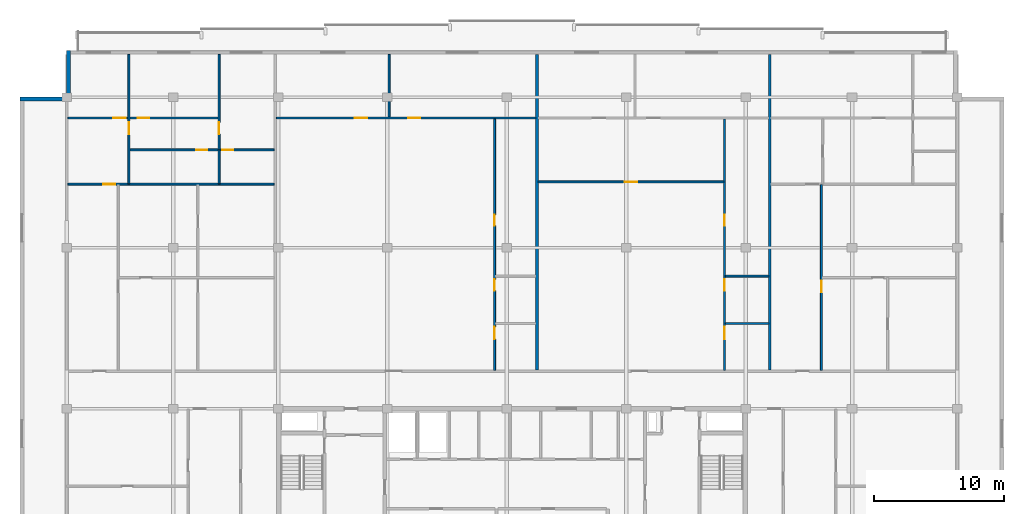
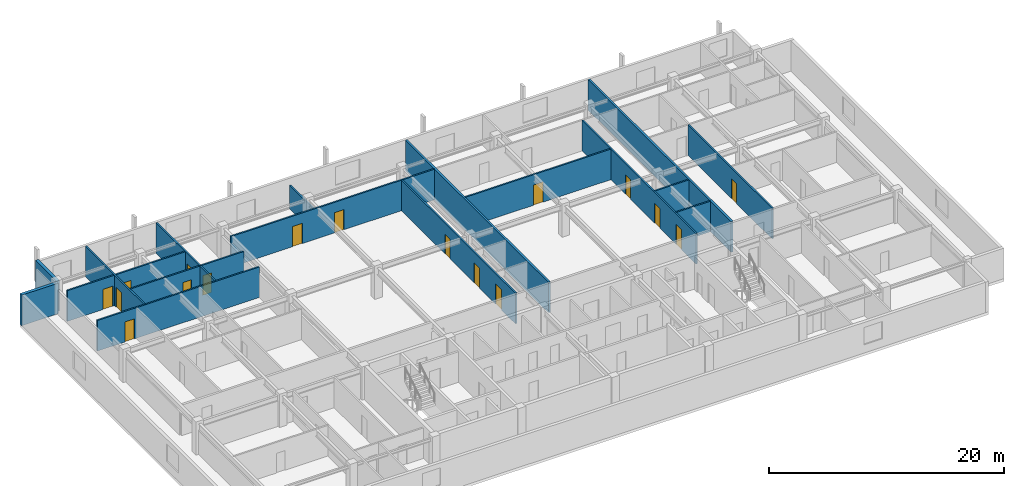
# One storey, part 6 of 10: 18 walls, 17 doors, 17 openings.
"""IFC4 building model written with IfcOpenShell, lengths in metres."""

from ifc_helpers import new_model, si_unit, direction, frame, frame_2d, origin, place, context, subcontext, project, spatial, rectangle, extrude, material, layer, layer_set, type_object, element, fill, save


model = new_model("IFC4")

# Units and contexts
model_context = context("Model", 3, precision=1e-05, world=origin(), true_north=direction((0.0, 1.0)))
body_context = subcontext(model_context, "Body", "Model", "MODEL_VIEW")
ifc_project = project(units=[si_unit("LENGTHUNIT", "METRE"), si_unit("AREAUNIT", "SQUARE_METRE"), si_unit("VOLUMEUNIT", "CUBIC_METRE"), si_unit("PLANEANGLEUNIT", "RADIAN"), si_unit("MASSUNIT", "GRAM", prefix="KILO")], contexts=[model_context])

# Site, building, storey
site_placement = place(None, origin())
site = spatial("IfcSite", under=ifc_project, at=site_placement, CompositionType="ELEMENT")
building_placement = place(site_placement, origin())
building = spatial("IfcBuilding", under=site, at=building_placement, Name="Korimba Cascade Residences", CompositionType="ELEMENT")
storey_placement = place(building_placement, frame((0.0, 0.0, 242.449951171875)))
storey = spatial("IfcBuildingStorey", under=building, at=storey_placement, Name="L70", CompositionType="ELEMENT", Elevation=242.449951171875)

# Walls
ifc_material_1 = material(Name="Precast concrete C40/50", Category="concrete")
ifc_layer_1 = layer(ifc_material_1, 0.300048828125)
ifc_layer_set_1 = layer_set([ifc_layer_1], Name="Precast concrete C40/50")
wall_type_1 = type_object("IfcWallType", Name="EW-STONE-300", PredefinedType="STANDARD", material=ifc_layer_set_1)
for number, where, z_axis, x_axis, name in (
    (1, (59.949951171875, 94.800048828125, 0.0), (0.0, 0.0, 1.0), (0.0, -1.0, 0.0), "L70 T1 Perimeter Stone Wall E07"),
    (2, (59.800048828125, 91.050048828125, 0.0), (0.0, 0.0, 1.0), (-1.0, 0.0, 0.0), "L70 T1 Perimeter Stone Wall E08"),
):
    element("IfcWall", number, at=place(storey_placement, frame(where, z_axis=z_axis, x_axis=x_axis)), inside=storey, type_object=wall_type_1, Name=name, PredefinedType="STANDARD", context=body_context, shape_type="SweptSolid", body=[
        extrude(rectangle(XDim=3.60009765625, YDim=0.300048828125, at=frame_2d((1.800048828125, 0.0))), origin(), (0.0, 0.0, 1.0), 3.170166015625),
    ])
ifc_layer_2 = layer(ifc_material_1, 0.199951171875)
ifc_layer_set_2 = layer_set([ifc_layer_2], Name="Precast concrete C40/50")
wall_type_2 = type_object("IfcWallType", Name="WAL-IT-200", PredefinedType="PARTITIONING", material=ifc_layer_set_2)
for number, where, z_axis, x_axis, name in (
    (3, (96.0244140625, 70.179931640625, 0.0), (0.0, 0.0, 1.0), (0.0, 1.0, 0.0), "L70 Partition Wall WAL-L70-T1-DEM-2"),
    (4, (113.96875, 70.179931640625, 0.0), (0.0, 0.0, 1.0), (0.0, 1.0, 0.0), "L70 Partition Wall WAL-L70-T1-DEM-3"),
):
    element("IfcWall", number, at=place(storey_placement, frame(where, z_axis=z_axis, x_axis=x_axis)), inside=storey, type_object=wall_type_2, Name=name, PredefinedType="PARTITIONING", context=body_context, shape_type="SweptSolid", body=[
        extrude(rectangle(XDim=24.320068359375, YDim=0.199951171875, at=frame_2d((12.16015625, 0.0))), origin(), (0.0, 0.0, 1.0), 3.170166015625),
    ])

# Wall, opening, door
ifc_material_2 = material(Name="Insulated Acoustic Stud Partition", Category="gypsum")
ifc_layer_3 = layer(ifc_material_2, 0.14990234375)
ifc_layer_set_3 = layer_set([ifc_layer_3], Name="Insulated Acoustic Stud Partition")
wall_type_3 = type_object("IfcWallType", Name="WAL-PART-150", PredefinedType="PARTITIONING", material=ifc_layer_set_3)
wall_1_placement = place(storey_placement, frame((64.590087890625, 84.5400390625, 0.0), z_axis=(0.0, 0.0, 1.0), x_axis=(0.0, 1.0, 0.0)))
wall_1 = element("IfcWall", 5, at=wall_1_placement, inside=storey, type_object=wall_type_3, Name="L70 Partition Wall WAL-L70-T1-U01-V1", PredefinedType="PARTITIONING", context=body_context, shape_type="SweptSolid", body=[
    extrude(rectangle(XDim=9.9599609375, YDim=0.14990234375, at=frame_2d((4.97998046875, 0.0))), origin(), (0.0, 0.0, 1.0), 3.170166015625),
])
opening_1_placement = place(wall_1_placement, frame((3.820068359375, 0.0, 0.0)))
opening_1 = element("IfcOpeningElement", 6, at=opening_1_placement, cuts=wall_1, Name="Opening D-IN1", PredefinedType="OPENING", context=body_context, shape_type="SweptSolid", body=[
    extrude(rectangle(XDim=0.919921875, YDim=2.080078125, at=frame_2d((0.4599609375, 1.0400390625))), frame((0.0, 0.0849609375, 0.0), z_axis=(0.0, -1.0, 0.0), x_axis=(1.0, 0.0, 0.0)), (0.0, 0.0, 1.0), 0.169921875),
])
ifc_material_3 = material(Name="Acoustic Timber Living Door", Category="wood")
door_type_1 = type_object("IfcDoorType", Name="DR-INT-920", OperationType="NOTDEFINED", PredefinedType="DOOR", material=ifc_material_3)
door_1_placement = place(opening_1_placement, origin())
door_1 = element("IfcDoor", 7, at=door_1_placement, inside=storey, type_object=door_type_1, Name="L70-T1-U01 Hallway Door", OperationType="SINGLE_SWING_RIGHT", OverallHeight=2.080078125, OverallWidth=0.919921875, PredefinedType="DOOR", context=body_context, shape_type="SweptSolid", body=[
    extrude(rectangle(XDim=0.919921875, YDim=2.080078125, at=frame_2d((0.4599609375, 1.0400390625))), frame((0.0, 0.02490234375, 0.0), z_axis=(0.0, -1.0, 0.0), x_axis=(1.0, 0.0, 0.0)), (0.0, 0.0, 1.0), 0.050048828125),
])
fill(opening_1, door_1)

# Wall
wall_2_placement = place(storey_placement, frame((71.53515625, 84.5400390625, 0.0), z_axis=(0.0, 0.0, 1.0), x_axis=(0.0, 1.0, 0.0)))
element("IfcWall", 8, at=wall_2_placement, inside=storey, type_object=wall_type_3, Name="L70 Partition Wall WAL-L70-T1-U01-VBATH", PredefinedType="PARTITIONING", context=body_context, shape_type="SweptSolid", body=[
    extrude(rectangle(XDim=2.580078125, YDim=0.14990234375, at=frame_2d((1.2900390625, 0.0))), origin(), (0.0, 0.0, 1.0), 3.170166015625),
])

# Wall, opening, door
wall_3_placement = place(storey_placement, frame((71.53515625, 87.159912109375, 0.0), z_axis=(0.0, 0.0, 1.0), x_axis=(0.0, 1.0, 0.0)))
wall_3 = element("IfcWall", 9, at=wall_3_placement, inside=storey, type_object=wall_type_3, Name="L70 Partition Wall WAL-L70-T1-U01-V2FULL", PredefinedType="PARTITIONING", context=body_context, shape_type="SweptSolid", body=[
    extrude(rectangle(XDim=7.340087890625, YDim=0.14990234375, at=frame_2d((3.669921875, 0.0))), origin(), (0.0, 0.0, 1.0), 3.170166015625),
])
opening_2_placement = place(wall_3_placement, frame((1.199951171875, 0.0, 0.0)))
opening_2 = element("IfcOpeningElement", 10, at=opening_2_placement, cuts=wall_3, Name="Opening D-IN1", PredefinedType="OPENING", context=body_context, shape_type="SweptSolid", body=[
    extrude(rectangle(XDim=0.919921875, YDim=2.080078125, at=frame_2d((0.4599609375, 1.0400390625))), frame((0.0, 0.0849609375, 0.0), z_axis=(0.0, -1.0, 0.0), x_axis=(1.0, 0.0, 0.0)), (0.0, 0.0, 1.0), 0.169921875),
])
door_2_placement = place(opening_2_placement, origin())
door_2 = element("IfcDoor", 11, at=door_2_placement, inside=storey, type_object=door_type_1, Name="L70-T1-U01 Master Bedroom Door", OperationType="SINGLE_SWING_LEFT", OverallHeight=2.080078125, OverallWidth=0.919921875, PredefinedType="DOOR", context=body_context, shape_type="SweptSolid", body=[
    extrude(rectangle(XDim=0.919921875, YDim=2.080078125, at=frame_2d((0.4599609375, 1.0400390625))), frame((0.0, 0.02490234375, 0.0), z_axis=(0.0, -1.0, 0.0), x_axis=(1.0, 0.0, 0.0)), (0.0, 0.0, 1.0), 0.050048828125),
])
fill(opening_2, door_2)

# Wall, openings, doors
wall_4_placement = place(storey_placement, frame((64.6298828125, 87.139892578125, 0.0), z_axis=(0.0, 0.0, 1.0), x_axis=(1.0, 0.0, 0.0)))
wall_4 = element("IfcWall", 12, at=wall_4_placement, inside=storey, type_object=wall_type_3, Name="L70 Partition Wall WAL-L70-T1-U01-HWALL", PredefinedType="PARTITIONING", context=body_context, shape_type="SweptSolid", body=[
    extrude(rectangle(XDim=11.1552734375, YDim=0.14990234375, at=frame_2d((5.57763671875, 0.0))), origin(), (0.0, 0.0, 1.0), 3.170166015625),
])
opening_3_placement = place(wall_4_placement, frame((5.15771484375, 0.0, 0.0)))
opening_3 = element("IfcOpeningElement", 13, at=opening_3_placement, cuts=wall_4, Name="Opening D-BT1", PredefinedType="OPENING", context=body_context, shape_type="SweptSolid", body=[
    extrude(rectangle(XDim=0.840087890625, YDim=2.0400390625, at=frame_2d((0.419921875, 1.02001953125))), frame((0.0, 0.0849609375, 0.0), z_axis=(0.0, -1.0, 0.0), x_axis=(1.0, 0.0, 0.0)), (0.0, 0.0, 1.0), 0.169921875),
])
opening_4_placement = place(wall_4_placement, frame((7.155029296875, 0.0, 0.0)))
opening_4 = element("IfcOpeningElement", 14, at=opening_4_placement, cuts=wall_4, Name="Opening D-BT1", PredefinedType="OPENING", context=body_context, shape_type="SweptSolid", body=[
    extrude(rectangle(XDim=0.840087890625, YDim=2.0400390625, at=frame_2d((0.419921875, 1.02001953125))), frame((0.0, 0.0849609375, 0.0), z_axis=(0.0, -1.0, 0.0), x_axis=(1.0, 0.0, 0.0)), (0.0, 0.0, 1.0), 0.169921875),
])
ifc_material_4 = material(Name="Moisture-Resistant Bathroom Timber Door", Category="wood")
door_type_2 = type_object("IfcDoorType", Name="DR-INT-850", OperationType="NOTDEFINED", PredefinedType="DOOR", material=ifc_material_4)
door_3_placement = place(opening_3_placement, origin())
door_3 = element("IfcDoor", 15, at=door_3_placement, inside=storey, type_object=door_type_2, Name="L70-T1-U01 Family Bathroom Door", OperationType="SINGLE_SWING_RIGHT", OverallHeight=2.0400390625, OverallWidth=0.840087890625, PredefinedType="DOOR", context=body_context, shape_type="SweptSolid", body=[
    extrude(rectangle(XDim=0.840087890625, YDim=2.0400390625, at=frame_2d((0.419921875, 1.02001953125))), frame((0.0, 0.02490234375, 0.0), z_axis=(0.0, -1.0, 0.0), x_axis=(1.0, 0.0, 0.0)), (0.0, 0.0, 1.0), 0.050048828125),
])
fill(opening_3, door_3)
door_4_placement = place(opening_4_placement, origin())
door_4 = element("IfcDoor", 16, at=door_4_placement, inside=storey, type_object=door_type_2, Name="L70-T1-U01 En-Suite Door", OperationType="SINGLE_SWING_LEFT", OverallHeight=2.0400390625, OverallWidth=0.840087890625, PredefinedType="DOOR", context=body_context, shape_type="SweptSolid", body=[
    extrude(rectangle(XDim=0.840087890625, YDim=2.0400390625, at=frame_2d((0.419921875, 1.02001953125))), frame((0.0, 0.02490234375, 0.0), z_axis=(0.0, -1.0, 0.0), x_axis=(1.0, 0.0, 0.0)), (0.0, 0.0, 1.0), 0.050048828125),
])
fill(opening_4, door_4)

# Wall, opening, door
wall_5_placement = place(storey_placement, frame((59.8798828125, 84.5, 0.0), z_axis=(0.0, 0.0, 1.0), x_axis=(1.0, 0.0, 0.0)))
wall_5 = element("IfcWall", 17, at=wall_5_placement, inside=storey, type_object=wall_type_3, Name="L70 Partition Wall WAL-L70-T1-U01-MW", PredefinedType="PARTITIONING", context=body_context, shape_type="SweptSolid", body=[
    extrude(rectangle(XDim=15.9052734375, YDim=0.14990234375, at=frame_2d((7.95263671875, 0.0))), origin(), (0.0, 0.0, 1.0), 3.170166015625),
])
opening_5_placement = place(wall_5_placement, frame((2.719970703125, 0.0, 0.0)))
opening_5 = element("IfcOpeningElement", 18, at=opening_5_placement, cuts=wall_5, Name="Opening D-IN1", PredefinedType="OPENING", context=body_context, shape_type="SweptSolid", body=[
    extrude(rectangle(XDim=0.919921875, YDim=2.080078125, at=frame_2d((0.4599609375, 1.0400390625))), frame((0.0, 0.0849609375, 0.0), z_axis=(0.0, -1.0, 0.0), x_axis=(1.0, 0.0, 0.0)), (0.0, 0.0, 1.0), 0.169921875),
])
door_5_placement = place(opening_5_placement, origin())
door_5 = element("IfcDoor", 19, at=door_5_placement, inside=storey, type_object=door_type_1, Name="L70-T1-U01 Kitchen Door", OperationType="SINGLE_SWING_RIGHT", OverallHeight=2.080078125, OverallWidth=0.919921875, PredefinedType="DOOR", context=body_context, shape_type="SweptSolid", body=[
    extrude(rectangle(XDim=0.919921875, YDim=2.080078125, at=frame_2d((0.4599609375, 1.0400390625))), frame((0.0, 0.02490234375, 0.0), z_axis=(0.0, -1.0, 0.0), x_axis=(1.0, 0.0, 0.0)), (0.0, 0.0, 1.0), 0.050048828125),
])
fill(opening_5, door_5)

# Wall, openings, doors
wall_6_placement = place(storey_placement, frame((59.8798828125, 89.60009765625, 0.0), z_axis=(0.0, 0.0, 1.0), x_axis=(1.0, 0.0, 0.0)))
wall_6 = element("IfcWall", 20, at=wall_6_placement, inside=storey, type_object=wall_type_3, Name="L70 Partition Wall WAL-L70-T1-U01-HZ", PredefinedType="PARTITIONING", context=body_context, shape_type="SweptSolid", body=[
    extrude(rectangle(XDim=11.6552734375, YDim=0.14990234375, at=frame_2d((5.82763671875, 0.0))), origin(), (0.0, 0.0, 1.0), 3.170166015625),
])
opening_6_placement = place(wall_6_placement, frame((3.52001953125, 0.0, 0.0)))
opening_6 = element("IfcOpeningElement", 21, at=opening_6_placement, cuts=wall_6, Name="Opening D-IN0", PredefinedType="OPENING", context=body_context, shape_type="SweptSolid", body=[
    extrude(rectangle(XDim=0.93994140625, YDim=2.10009765625, at=frame_2d((0.469970703125, 1.050048828125))), frame((0.0, 0.0849609375, 0.0), z_axis=(0.0, -1.0, 0.0), x_axis=(1.0, 0.0, 0.0)), (0.0, 0.0, 1.0), 0.169921875),
])
opening_7_placement = place(wall_6_placement, frame((5.387451171875, 0.0, 0.0)))
opening_7 = element("IfcOpeningElement", 22, at=opening_7_placement, cuts=wall_6, Name="Opening D-IN2", PredefinedType="OPENING", context=body_context, shape_type="SweptSolid", body=[
    extrude(rectangle(XDim=0.8798828125, YDim=2.06005859375, at=frame_2d((0.43994140625, 1.030029296875))), frame((0.0, 0.0849609375, 0.0), z_axis=(0.0, -1.0, 0.0), x_axis=(1.0, 0.0, 0.0)), (0.0, 0.0, 1.0), 0.169921875),
])
ifc_material_5 = material(Name="Acoustic Timber Bedroom Door", Category="wood")
door_type_3 = type_object("IfcDoorType", Name="DR-INT-880", OperationType="NOTDEFINED", PredefinedType="DOOR", material=ifc_material_5)
door_6_placement = place(opening_7_placement, origin())
door_6 = element("IfcDoor", 23, at=door_6_placement, inside=storey, type_object=door_type_3, Name="L70-T1-U01 Bedroom 2 Door", OperationType="SINGLE_SWING_RIGHT", OverallHeight=2.06005859375, OverallWidth=0.8798828125, PredefinedType="DOOR", context=body_context, shape_type="SweptSolid", body=[
    extrude(rectangle(XDim=0.8798828125, YDim=2.06005859375, at=frame_2d((0.43994140625, 1.030029296875))), frame((0.0, 0.02490234375, 0.0), z_axis=(0.0, -1.0, 0.0), x_axis=(1.0, 0.0, 0.0)), (0.0, 0.0, 1.0), 0.050048828125),
])
fill(opening_7, door_6)
ifc_material_6 = material(Name="Acoustic Timber Living Archway Door", Category="wood")
door_type_4 = type_object("IfcDoorType", Name="DR-INT-950", OperationType="NOTDEFINED", PredefinedType="DOOR", material=ifc_material_6)
door_7_placement = place(opening_6_placement, origin())
door_7 = element("IfcDoor", 24, at=door_7_placement, inside=storey, type_object=door_type_4, Name="L70-T1-U01 Living Room Door", OperationType="SINGLE_SWING_LEFT", OverallHeight=2.10009765625, OverallWidth=0.93994140625, PredefinedType="DOOR", context=body_context, shape_type="SweptSolid", body=[
    extrude(rectangle(XDim=0.93994140625, YDim=2.10009765625, at=frame_2d((0.469970703125, 1.050048828125))), frame((0.0, 0.02490234375, 0.0), z_axis=(0.0, -1.0, 0.0), x_axis=(1.0, 0.0, 0.0)), (0.0, 0.0, 1.0), 0.050048828125),
])
fill(opening_6, door_7)

wall_7_placement = place(storey_placement, frame((92.75439453125, 70.159912109375, 0.0), z_axis=(0.0, 0.0, 1.0), x_axis=(0.0, 1.0, 0.0)))
wall_7 = element("IfcWall", 25, at=wall_7_placement, inside=storey, type_object=wall_type_3, Name="L70 Partition Wall WAL-L70-T1-U02-WCV", PredefinedType="PARTITIONING", context=body_context, shape_type="SweptSolid", body=[
    extrude(rectangle(XDim=19.380126953125, YDim=0.14990234375, at=frame_2d((9.68994140625, 0.0))), origin(), (0.0, 0.0, 1.0), 3.170166015625),
])
opening_8_placement = place(wall_7_placement, frame((2.406005859375, 0.0, 0.0)))
opening_8 = element("IfcOpeningElement", 26, at=opening_8_placement, cuts=wall_7, Name="Opening D-AC1", PredefinedType="OPENING", context=body_context, shape_type="SweptSolid", body=[
    extrude(rectangle(XDim=0.9599609375, YDim=2.10009765625, at=frame_2d((0.47998046875, 1.050048828125))), frame((0.0, 0.0849609375, 0.0), z_axis=(0.0, -1.0, 0.0), x_axis=(1.0, 0.0, 0.0)), (0.0, 0.0, 1.0), 0.169921875),
])
opening_9_placement = place(wall_7_placement, frame((6.132568359375, 0.0, 0.0)))
opening_9 = element("IfcOpeningElement", 27, at=opening_9_placement, cuts=wall_7, Name="Opening D-IN2", PredefinedType="OPENING", context=body_context, shape_type="SweptSolid", body=[
    extrude(rectangle(XDim=0.8798828125, YDim=2.06005859375, at=frame_2d((0.43994140625, 1.030029296875))), frame((0.0, 0.0849609375, 0.0), z_axis=(0.0, -1.0, 0.0), x_axis=(1.0, 0.0, 0.0)), (0.0, 0.0, 1.0), 0.169921875),
])
opening_10_placement = place(wall_7_placement, frame((11.138916015625, 0.0, 0.0)))
opening_10 = element("IfcOpeningElement", 28, at=opening_10_placement, cuts=wall_7, Name="Opening D-BT1", PredefinedType="OPENING", context=body_context, shape_type="SweptSolid", body=[
    extrude(rectangle(XDim=0.840087890625, YDim=2.0400390625, at=frame_2d((0.419921875, 1.02001953125))), frame((0.0, 0.0849609375, 0.0), z_axis=(0.0, -1.0, 0.0), x_axis=(1.0, 0.0, 0.0)), (0.0, 0.0, 1.0), 0.169921875),
])
ifc_material_7 = material(Name="Accessible Acoustic Timber WC Door", Category="wood")
door_type_5 = type_object("IfcDoorType", Name="DR-ACC-950", OperationType="NOTDEFINED", PredefinedType="DOOR", material=ifc_material_7)
door_8_placement = place(opening_8_placement, origin())
door_8 = element("IfcDoor", 29, at=door_8_placement, inside=storey, type_object=door_type_5, Name="L70-T1-U02 Accessible WC Door", OperationType="SINGLE_SWING_LEFT", OverallHeight=2.10009765625, OverallWidth=0.9599609375, PredefinedType="DOOR", context=body_context, shape_type="SweptSolid", body=[
    extrude(rectangle(XDim=0.9599609375, YDim=2.10009765625, at=frame_2d((0.47998046875, 1.050048828125))), frame((0.0, 0.02490234375, 0.0), z_axis=(0.0, -1.0, 0.0), x_axis=(1.0, 0.0, 0.0)), (0.0, 0.0, 1.0), 0.050048828125),
])
fill(opening_8, door_8)
door_9_placement = place(opening_10_placement, origin())
door_9 = element("IfcDoor", 30, at=door_9_placement, inside=storey, type_object=door_type_2, Name="L70-T1-U02 Suite Store Door", OperationType="SINGLE_SWING_LEFT", OverallHeight=2.0400390625, OverallWidth=0.840087890625, PredefinedType="DOOR", context=body_context, shape_type="SweptSolid", body=[
    extrude(rectangle(XDim=0.840087890625, YDim=2.0400390625, at=frame_2d((0.419921875, 1.02001953125))), frame((0.0, 0.02490234375, 0.0), z_axis=(0.0, -1.0, 0.0), x_axis=(1.0, 0.0, 0.0)), (0.0, 0.0, 1.0), 0.050048828125),
])
fill(opening_10, door_9)
door_10_placement = place(opening_9_placement, origin())
door_10 = element("IfcDoor", 31, at=door_10_placement, inside=storey, type_object=door_type_3, Name="L70-T1-U02 Restroom WC Door", OperationType="SINGLE_SWING_RIGHT", OverallHeight=2.06005859375, OverallWidth=0.8798828125, PredefinedType="DOOR", context=body_context, shape_type="SweptSolid", body=[
    extrude(rectangle(XDim=0.8798828125, YDim=2.06005859375, at=frame_2d((0.43994140625, 1.030029296875))), frame((0.0, 0.02490234375, 0.0), z_axis=(0.0, -1.0, 0.0), x_axis=(1.0, 0.0, 0.0)), (0.0, 0.0, 1.0), 0.050048828125),
])
fill(opening_9, door_10)

# Wall
wall_8_placement = place(storey_placement, frame((84.6396484375, 89.679931640625, 0.0), z_axis=(0.0, 0.0, 1.0), x_axis=(0.0, 1.0, 0.0)))
element("IfcWall", 32, at=wall_8_placement, inside=storey, type_object=wall_type_3, Name="L70 Partition Wall WAL-L70-T1-U02-OUTV", PredefinedType="PARTITIONING", context=body_context, shape_type="SweptSolid", body=[
    extrude(rectangle(XDim=4.820068359375, YDim=0.14990234375, at=frame_2d((2.41015625, 0.0))), origin(), (0.0, 0.0, 1.0), 2.47705078125),
])

# Wall, openings, doors
wall_9_placement = place(storey_placement, frame((75.945068359375, 89.60009765625, 0.0), z_axis=(0.0, 0.0, 1.0), x_axis=(1.0, 0.0, 0.0)))
wall_9 = element("IfcWall", 33, at=wall_9_placement, inside=storey, type_object=wall_type_3, Name="L70 Partition Wall WAL-L70-T1-U02-HZ", PredefinedType="PARTITIONING", context=body_context, shape_type="SweptSolid", body=[
    extrude(rectangle(XDim=19.999267578125, YDim=0.14990234375, at=frame_2d((9.99951171875, 0.0))), origin(), (0.0, 0.0, 1.0), 3.170166015625),
])
opening_11_placement = place(wall_9_placement, frame((6.0537109375, 0.0, 0.0)))
opening_11 = element("IfcOpeningElement", 34, at=opening_11_placement, cuts=wall_9, Name="Opening D-IN0", PredefinedType="OPENING", context=body_context, shape_type="SweptSolid", body=[
    extrude(rectangle(XDim=0.93994140625, YDim=2.10009765625, at=frame_2d((0.469970703125, 1.050048828125))), frame((0.0, 0.0849609375, 0.0), z_axis=(0.0, -1.0, 0.0), x_axis=(1.0, 0.0, 0.0)), (0.0, 0.0, 1.0), 0.169921875),
])
opening_12_placement = place(wall_9_placement, frame((10.14599609375, 0.0, 0.0)))
opening_12 = element("IfcOpeningElement", 35, at=opening_12_placement, cuts=wall_9, Name="Opening D-IN0", PredefinedType="OPENING", context=body_context, shape_type="SweptSolid", body=[
    extrude(rectangle(XDim=0.93994140625, YDim=2.10009765625, at=frame_2d((0.469970703125, 1.050048828125))), frame((0.0, 0.0849609375, 0.0), z_axis=(0.0, -1.0, 0.0), x_axis=(1.0, 0.0, 0.0)), (0.0, 0.0, 1.0), 0.169921875),
])
door_11_placement = place(opening_11_placement, origin())
door_11 = element("IfcDoor", 36, at=door_11_placement, inside=storey, type_object=door_type_4, Name="L70-T1-U02 Fitness Pilates Gym Door", OperationType="SINGLE_SWING_RIGHT", OverallHeight=2.10009765625, OverallWidth=0.93994140625, PredefinedType="DOOR", context=body_context, shape_type="SweptSolid", body=[
    extrude(rectangle(XDim=0.93994140625, YDim=2.10009765625, at=frame_2d((0.469970703125, 1.050048828125))), frame((0.0, 0.02490234375, 0.0), z_axis=(0.0, -1.0, 0.0), x_axis=(1.0, 0.0, 0.0)), (0.0, 0.0, 1.0), 0.050048828125),
])
fill(opening_11, door_11)
door_12_placement = place(opening_12_placement, origin())
door_12 = element("IfcDoor", 37, at=door_12_placement, inside=storey, type_object=door_type_4, Name="L70-T1-U02 Private Screening Cinema Door", OperationType="SINGLE_SWING_LEFT", OverallHeight=2.10009765625, OverallWidth=0.93994140625, PredefinedType="DOOR", context=body_context, shape_type="SweptSolid", body=[
    extrude(rectangle(XDim=0.93994140625, YDim=2.10009765625, at=frame_2d((0.469970703125, 1.050048828125))), frame((0.0, 0.02490234375, 0.0), z_axis=(0.0, -1.0, 0.0), x_axis=(1.0, 0.0, 0.0)), (0.0, 0.0, 1.0), 0.050048828125),
])
fill(opening_12, door_12)

# Wall, opening, door
wall_10_placement = place(storey_placement, frame((96.104248046875, 84.679931640625, 0.0), z_axis=(0.0, 0.0, 1.0), x_axis=(1.0, 0.0, 0.0)))
wall_10 = element("IfcWall", 38, at=wall_10_placement, inside=storey, type_object=wall_type_3, Name="L70 Partition Wall WAL-L70-T1-U03-CARH", PredefinedType="PARTITIONING", context=body_context, shape_type="SweptSolid", body=[
    extrude(rectangle(XDim=14.324462890625, YDim=0.14990234375, at=frame_2d((7.162109375, 0.0))), origin(), (0.0, 0.0, 1.0), 3.170166015625),
])
opening_13_placement = place(wall_10_placement, frame((6.6923828125, 0.0, 0.0)))
opening_13 = element("IfcOpeningElement", 39, at=opening_13_placement, cuts=wall_10, Name="Opening D-IN0", PredefinedType="OPENING", context=body_context, shape_type="SweptSolid", body=[
    extrude(rectangle(XDim=0.93994140625, YDim=2.10009765625, at=frame_2d((0.469970703125, 1.050048828125))), frame((0.0, 0.0849609375, 0.0), z_axis=(0.0, -1.0, 0.0), x_axis=(1.0, 0.0, 0.0)), (0.0, 0.0, 1.0), 0.169921875),
])
door_13_placement = place(opening_13_placement, origin())
door_13 = element("IfcDoor", 40, at=door_13_placement, inside=storey, type_object=door_type_4, Name="L70-T1-U03 Wellness Clinic Foyer Door", OperationType="SINGLE_SWING_RIGHT", OverallHeight=2.10009765625, OverallWidth=0.93994140625, PredefinedType="DOOR", context=body_context, shape_type="SweptSolid", body=[
    extrude(rectangle(XDim=0.93994140625, YDim=2.10009765625, at=frame_2d((0.469970703125, 1.050048828125))), frame((0.0, 0.02490234375, 0.0), z_axis=(0.0, -1.0, 0.0), x_axis=(1.0, 0.0, 0.0)), (0.0, 0.0, 1.0), 0.050048828125),
])
fill(opening_13, door_13)

# Walls
for number, where, z_axis, x_axis, name in (
    (41, (110.52880859375, 73.77001953125, 0.0), (0.0, 0.0, 1.0), (1.0, 0.0, 0.0), "L70 Partition Wall WAL-L70-T1-U03-WCH"),
    (42, (110.52880859375, 77.419921875, 0.0), (0.0, 0.0, 1.0), (1.0, 0.0, 0.0), "L70 Partition Wall WAL-L70-T1-U03-WCH2"),
):
    element("IfcWall", number, at=place(storey_placement, frame(where, z_axis=z_axis, x_axis=x_axis)), inside=storey, type_object=wall_type_3, Name=name, PredefinedType="PARTITIONING", context=body_context, shape_type="SweptSolid", body=[
        extrude(rectangle(XDim=3.360107421875, YDim=0.14990234375, at=frame_2d((1.68017578125, 0.0))), origin(), (0.0, 0.0, 1.0), 3.170166015625),
    ])

# Wall, openings, doors
wall_11_placement = place(storey_placement, frame((110.46875, 70.159912109375, 0.0), z_axis=(0.0, 0.0, 1.0), x_axis=(0.0, 1.0, 0.0)))
wall_11 = element("IfcWall", 43, at=wall_11_placement, inside=storey, type_object=wall_type_3, Name="L70 Partition Wall WAL-L70-T1-U03-WCV", PredefinedType="PARTITIONING", context=body_context, shape_type="SweptSolid", body=[
    extrude(rectangle(XDim=19.380126953125, YDim=0.14990234375, at=frame_2d((9.68994140625, 0.0))), origin(), (0.0, 0.0, 1.0), 3.170166015625),
])
opening_14_placement = place(wall_11_placement, frame((2.406005859375, 0.0, 0.0)))
opening_14 = element("IfcOpeningElement", 44, at=opening_14_placement, cuts=wall_11, Name="Opening D-AC1", PredefinedType="OPENING", context=body_context, shape_type="SweptSolid", body=[
    extrude(rectangle(XDim=0.9599609375, YDim=2.10009765625, at=frame_2d((0.47998046875, 1.050048828125))), frame((0.0, 0.0849609375, 0.0), z_axis=(0.0, -1.0, 0.0), x_axis=(1.0, 0.0, 0.0)), (0.0, 0.0, 1.0), 0.169921875),
])
opening_15_placement = place(wall_11_placement, frame((6.132568359375, 0.0, 0.0)))
opening_15 = element("IfcOpeningElement", 45, at=opening_15_placement, cuts=wall_11, Name="Opening D-IN2", PredefinedType="OPENING", context=body_context, shape_type="SweptSolid", body=[
    extrude(rectangle(XDim=0.8798828125, YDim=2.06005859375, at=frame_2d((0.43994140625, 1.030029296875))), frame((0.0, 0.0849609375, 0.0), z_axis=(0.0, -1.0, 0.0), x_axis=(1.0, 0.0, 0.0)), (0.0, 0.0, 1.0), 0.169921875),
])
opening_16_placement = place(wall_11_placement, frame((11.138916015625, 0.0, 0.0)))
opening_16 = element("IfcOpeningElement", 46, at=opening_16_placement, cuts=wall_11, Name="Opening D-BT1", PredefinedType="OPENING", context=body_context, shape_type="SweptSolid", body=[
    extrude(rectangle(XDim=0.840087890625, YDim=2.0400390625, at=frame_2d((0.419921875, 1.02001953125))), frame((0.0, 0.0849609375, 0.0), z_axis=(0.0, -1.0, 0.0), x_axis=(1.0, 0.0, 0.0)), (0.0, 0.0, 1.0), 0.169921875),
])
door_14_placement = place(opening_14_placement, origin())
door_14 = element("IfcDoor", 47, at=door_14_placement, inside=storey, type_object=door_type_5, Name="L70-T1-U03 Accessible WC Door", OperationType="SINGLE_SWING_LEFT", OverallHeight=2.10009765625, OverallWidth=0.9599609375, PredefinedType="DOOR", context=body_context, shape_type="SweptSolid", body=[
    extrude(rectangle(XDim=0.9599609375, YDim=2.10009765625, at=frame_2d((0.47998046875, 1.050048828125))), frame((0.0, 0.02490234375, 0.0), z_axis=(0.0, -1.0, 0.0), x_axis=(1.0, 0.0, 0.0)), (0.0, 0.0, 1.0), 0.050048828125),
])
fill(opening_14, door_14)
door_15_placement = place(opening_16_placement, origin())
door_15 = element("IfcDoor", 48, at=door_15_placement, inside=storey, type_object=door_type_2, Name="L70-T1-U03 Suite Store Door", OperationType="SINGLE_SWING_LEFT", OverallHeight=2.0400390625, OverallWidth=0.840087890625, PredefinedType="DOOR", context=body_context, shape_type="SweptSolid", body=[
    extrude(rectangle(XDim=0.840087890625, YDim=2.0400390625, at=frame_2d((0.419921875, 1.02001953125))), frame((0.0, 0.02490234375, 0.0), z_axis=(0.0, -1.0, 0.0), x_axis=(1.0, 0.0, 0.0)), (0.0, 0.0, 1.0), 0.050048828125),
])
fill(opening_16, door_15)
door_16_placement = place(opening_15_placement, origin())
door_16 = element("IfcDoor", 49, at=door_16_placement, inside=storey, type_object=door_type_3, Name="L70-T1-U03 Restroom WC Door", OperationType="SINGLE_SWING_RIGHT", OverallHeight=2.06005859375, OverallWidth=0.8798828125, PredefinedType="DOOR", context=body_context, shape_type="SweptSolid", body=[
    extrude(rectangle(XDim=0.8798828125, YDim=2.06005859375, at=frame_2d((0.43994140625, 1.030029296875))), frame((0.0, 0.02490234375, 0.0), z_axis=(0.0, -1.0, 0.0), x_axis=(1.0, 0.0, 0.0)), (0.0, 0.0, 1.0), 0.050048828125),
])
fill(opening_15, door_16)

# Wall, opening, door
wall_12_placement = place(storey_placement, frame((117.938720703125, 70.159912109375, 0.0), z_axis=(0.0, 0.0, 1.0), x_axis=(0.0, 1.0, 0.0)))
wall_12 = element("IfcWall", 50, at=wall_12_placement, inside=storey, type_object=wall_type_3, Name="L70 Partition Wall WAL-L70-T1-U04-FV", PredefinedType="PARTITIONING", context=body_context, shape_type="SweptSolid", body=[
    extrude(rectangle(XDim=14.300048828125, YDim=0.14990234375, at=frame_2d((7.14990234375, 0.0))), origin(), (0.0, 0.0, 1.0), 3.170166015625),
])
opening_17_placement = place(wall_12_placement, frame((6.02001953125, 0.0, 0.0)))
opening_17 = element("IfcOpeningElement", 51, at=opening_17_placement, cuts=wall_12, Name="Opening D-IN2", PredefinedType="OPENING", context=body_context, shape_type="SweptSolid", body=[
    extrude(rectangle(XDim=0.8798828125, YDim=2.06005859375, at=frame_2d((0.43994140625, 1.030029296875))), frame((0.0, 0.0849609375, 0.0), z_axis=(0.0, -1.0, 0.0), x_axis=(1.0, 0.0, 0.0)), (0.0, 0.0, 1.0), 0.169921875),
])
door_17_placement = place(opening_17_placement, origin())
door_17 = element("IfcDoor", 52, at=door_17_placement, inside=storey, type_object=door_type_3, Name="L70-T1-U04 Media Lounge Door", OperationType="SINGLE_SWING_RIGHT", OverallHeight=2.06005859375, OverallWidth=0.8798828125, PredefinedType="DOOR", context=body_context, shape_type="SweptSolid", body=[
    extrude(rectangle(XDim=0.8798828125, YDim=2.06005859375, at=frame_2d((0.43994140625, 1.030029296875))), frame((0.0, 0.02490234375, 0.0), z_axis=(0.0, -1.0, 0.0), x_axis=(1.0, 0.0, 0.0)), (0.0, 0.0, 1.0), 0.050048828125),
])
fill(opening_17, door_17)

save(model, "model.ifc")
